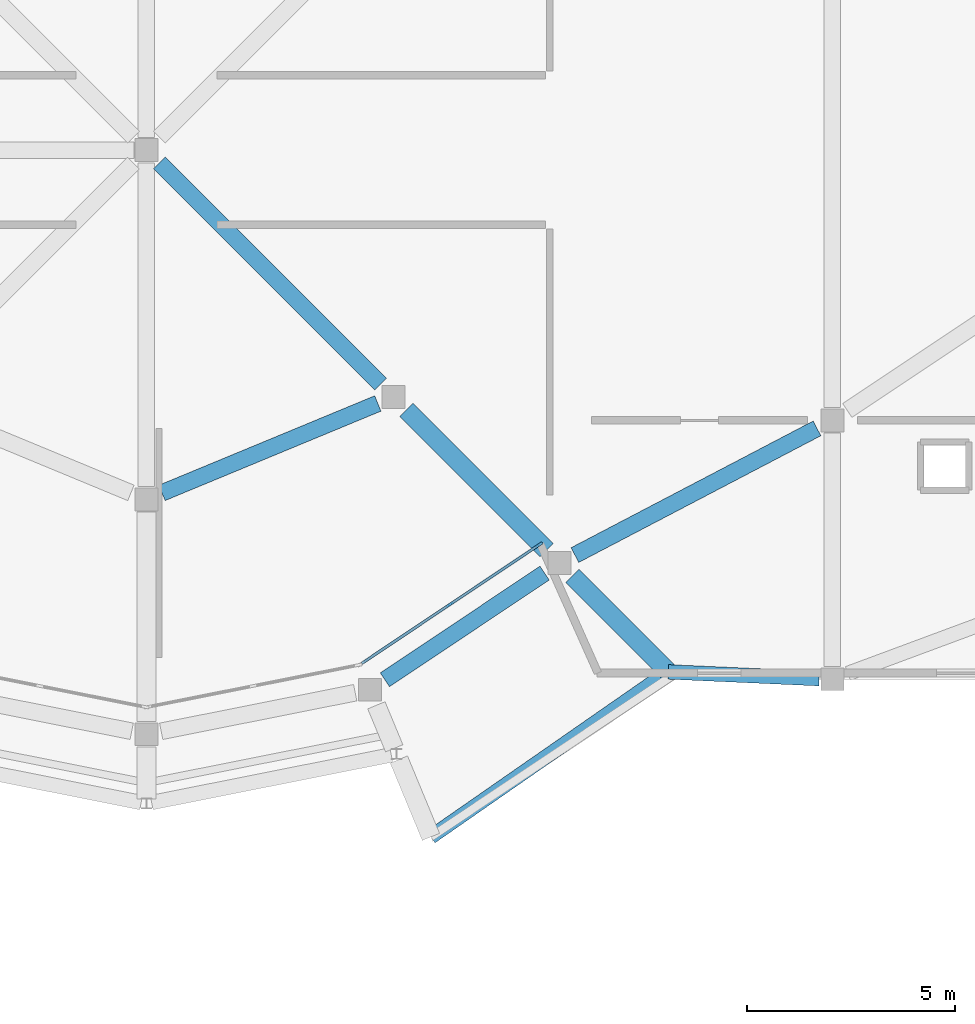
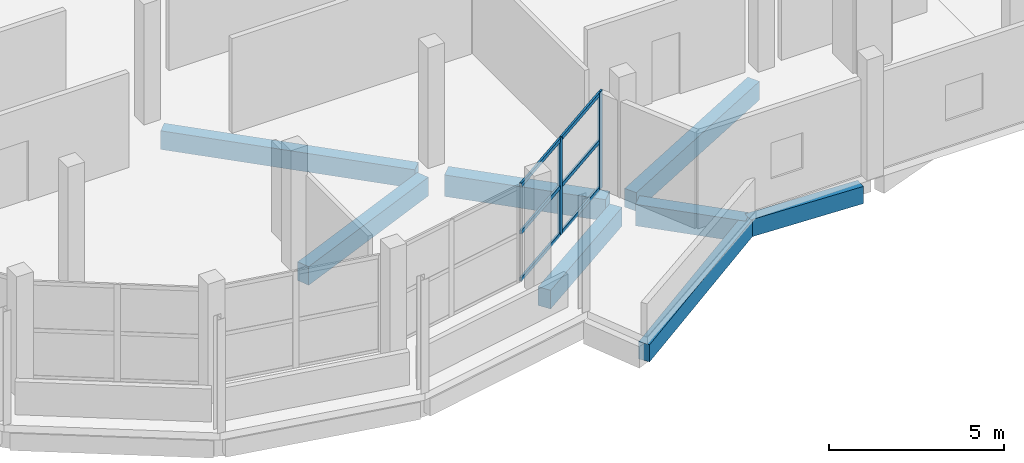
# One storey, part 7 of 63: 8 beams, 8 members, 1 element without a shape of its own.
"""IFC4 building model written with IfcOpenShell, lengths in metres."""

from ifc_helpers import new_model, si_unit, direction, frame, origin, origin_2d, place, context, subcontext, project, spatial, rectangle, extrude, material, layer, layer_set, material_profile, profile_set, type_object, element, aggregate, save


model = new_model("IFC4")

# Units and contexts
model_context = context("Model", 3, precision=1e-05, world=origin(), true_north=direction((0.0, 1.0)))
body_context = subcontext(model_context, "Body", "Model", "MODEL_VIEW")
ifc_project = project(units=[si_unit("LENGTHUNIT", "METRE"), si_unit("AREAUNIT", "SQUARE_METRE"), si_unit("VOLUMEUNIT", "CUBIC_METRE"), si_unit("PLANEANGLEUNIT", "RADIAN"), si_unit("MASSUNIT", "GRAM", prefix="KILO")], contexts=[model_context])

# Site, building, storey
site_placement = place(None, origin())
site = spatial("IfcSite", under=ifc_project, at=site_placement, CompositionType="ELEMENT")
building_placement = place(site_placement, origin())
building = spatial("IfcBuilding", under=site, at=building_placement, Name="Jelvoka-Kovrelna Polytechnic", CompositionType="ELEMENT")
storey_placement = place(building_placement, frame((0.0, 0.0, 18.0)))
storey = spatial("IfcBuildingStorey", under=building, at=storey_placement, Name="L05", CompositionType="ELEMENT", Elevation=18.0)

# Beams
ifc_material_1 = material(Name="Concrete C40/50", Category="concrete")
ifc_material_profile_1 = material_profile(ifc_material_1, rectangle(XDim=0.39990234375, YDim=0.64990234375, at=origin_2d()), Name="RC 400x650")
ifc_profile_set_1 = profile_set([ifc_material_profile_1], Name="Concrete C40/50")
beam_type_1 = type_object("IfcBeamType", Name="Beam_RC_400x650", PredefinedType="BEAM", material=ifc_profile_set_1)
beam_1_placement = place(storey_placement, frame((25.810791015625, 42.189208984375, -0.574951171875), z_axis=(0.707106781187, -0.707106781187, 0.0), x_axis=(0.707106781187, 0.707106781187, 0.0)))
element("IfcBeam", 1, at=beam_1_placement, inside=storey, type_object=beam_type_1, Name="L05 beam 2612", PredefinedType="BEAM", context=body_context, shape_type="SweptSolid", body=[
    extrude(rectangle(XDim=0.39990234375, YDim=0.64990234375, at=origin_2d()), origin(), (0.0, 0.0, 1.0), 7.52099609375),
])
beam_2_placement = place(storey_placement, frame((25.873779296875, 34.2548828125, -0.574951171875), z_axis=(0.923880758636, 0.382680472226, 0.0), x_axis=(-0.382680472226, 0.923880758636, 0.0)))
element("IfcBeam", 2, at=beam_2_placement, inside=storey, type_object=beam_type_1, Name="L05 beam 2619", PredefinedType="BEAM", context=body_context, shape_type="SweptSolid", body=[
    extrude(rectangle(XDim=0.39990234375, YDim=0.64990234375, at=origin_2d()), origin(), (0.0, 0.0, 1.0), 5.619873046875),
])
beam_3_placement = place(storey_placement, frame((31.23486328125, 29.7587890625, -0.574951171875), z_axis=(0.83148081682, 0.555553463908, 0.0), x_axis=(-0.555553463908, 0.83148081682, 0.0)))
element("IfcBeam", 3, at=beam_3_placement, inside=storey, type_object=beam_type_1, Name="L05 beam 2631", PredefinedType="BEAM", context=body_context, shape_type="SweptSolid", body=[
    extrude(rectangle(XDim=0.39990234375, YDim=0.64990234375, at=origin_2d()), origin(), (0.0, 0.0, 1.0), 4.620361328125),
])
beam_4_placement = place(storey_placement, frame((35.805908203125, 32.75927734375, -0.574951171875), z_axis=(0.886059011068, 0.463572463488, 0.0), x_axis=(-0.463572463488, 0.886059011068, 0.0)))
element("IfcBeam", 4, at=beam_4_placement, inside=storey, type_object=beam_type_1, Name="L05 beam 2663", PredefinedType="BEAM", context=body_context, shape_type="SweptSolid", body=[
    extrude(rectangle(XDim=0.39990234375, YDim=0.64990234375, at=origin_2d()), origin(), (0.0, 0.0, 1.0), 6.572021484375),
])
ifc_material_2 = material(Name="Concrete C40/50", Category="concrete")
ifc_material_profile_2 = material_profile(ifc_material_2, rectangle(XDim=0.449951171875, YDim=0.75, at=origin_2d()), Name="RC 450x750")
ifc_profile_set_2 = profile_set([ifc_material_profile_2], Name="Concrete C40/50")
beam_type_2 = type_object("IfcBeamType", Name="Beam_RC_450x750", PredefinedType="BEAM", material=ifc_profile_set_2)
beam_5_placement = place(storey_placement, frame((31.75048828125, 36.24951171875, -0.625), z_axis=(0.707106781187, -0.707106781187, 0.0), x_axis=(0.707106781187, 0.707106781187, 0.0)))
element("IfcBeam", 5, at=beam_5_placement, inside=storey, type_object=beam_type_2, Name="L05 beam 2613", PredefinedType="BEAM", context=body_context, shape_type="SweptSolid", body=[
    extrude(rectangle(XDim=0.449951171875, YDim=0.75, at=origin_2d()), origin(), (0.0, 0.0, 1.0), 4.77099609375),
])
beam_6_placement = place(storey_placement, frame((35.745849609375, 32.254150390625, -0.625), z_axis=(0.707106781187, -0.707106781187, 0.0), x_axis=(0.707106781187, 0.707106781187, 0.0)))
element("IfcBeam", 6, at=beam_6_placement, inside=storey, type_object=beam_type_2, Name="L05 beam 2646", PredefinedType="BEAM", context=body_context, shape_type="SweptSolid", body=[
    extrude(rectangle(XDim=0.449951171875, YDim=0.75, at=origin_2d()), origin(), (0.0, 0.0, 1.0), 3.260009765625),
])

# Curtain wall, members
ifc_material_3 = material(Name="Anodised aluminium 6063-T6", Category="aluminium")
ifc_layer = layer(ifc_material_3, 0.179931640625)
ifc_layer_set = layer_set([ifc_layer], Name="Anodised aluminium 6063-T6")
curtain_wall_type = type_object("IfcCurtainWallType", Name="CW_Pavilion", PredefinedType="NOTDEFINED", material=ifc_layer_set)
curtain_wall_placement = place(storey_placement, origin())
curtain_wall = element("IfcCurtainWall", 7, at=curtain_wall_placement, inside=storey, type_object=curtain_wall_type, Name="L05 glazed curtain wall 265", PredefinedType="NOTDEFINED")
ifc_material_4 = material(Name="Anodised aluminium 6063-T6", Category="aluminium")
ifc_material_profile_3 = material_profile(ifc_material_4, rectangle(XDim=0.06494140625, YDim=0.179931640625, at=origin_2d()), Name="ALU 65x180")
ifc_profile_set_3 = profile_set([ifc_material_profile_3], Name="Anodised aluminium 6063-T6")
member_type_1 = type_object("IfcMemberType", Name="Mullion_M-05", PredefinedType="MULLION", material=ifc_profile_set_3)
member_1_placement = place(storey_placement, frame((34.9482421875, 33.0068359375, -0.02490234375), z_axis=(0.0, 0.0, 1.0), x_axis=(0.555582639326, -0.83146132254, 0.0)))
member_1 = element("IfcMember", 8, at=member_1_placement, type_object=member_type_1, Name="CW-05 mullion 1", PredefinedType="MULLION", context=body_context, shape_type="SweptSolid", body=[
    extrude(rectangle(XDim=0.06494140625, YDim=0.179931640625, at=origin_2d()), origin(), (0.0, 0.0, 1.0), 3.400146484375),
])
member_2_placement = place(storey_placement, frame((32.801513671875, 31.572509765625, -0.02490234375), z_axis=(0.0, 0.0, 1.0), x_axis=(0.555582639326, -0.83146132254, 0.0)))
member_2 = element("IfcMember", 9, at=member_2_placement, type_object=member_type_1, Name="CW-05 mullion 2", PredefinedType="MULLION", context=body_context, shape_type="SweptSolid", body=[
    extrude(rectangle(XDim=0.06494140625, YDim=0.179931640625, at=origin_2d()), origin(), (0.0, 0.0, 1.0), 3.400146484375),
])

# Beams
ifc_material_5 = material(Name="Concrete C40/50", Category="concrete")
ifc_material_profile_4 = material_profile(ifc_material_5, rectangle(XDim=0.35009765625, YDim=0.60009765625, at=origin_2d()), Name="RC 350x600")
ifc_profile_set_4 = profile_set([ifc_material_profile_4], Name="Concrete C40/50")
beam_type_3 = type_object("IfcBeamType", Name="Spandrel_RC_350x600", PredefinedType="SPANDREL", material=ifc_profile_set_4)
beam_7_placement = place(storey_placement, frame((32.34228515625, 25.98095703125, -0.550048828125), z_axis=(0.821126306312, 0.570746519116, 0.0), x_axis=(-0.570746519116, 0.821126306312, 0.0)))
element("IfcBeam", 10, at=beam_7_placement, inside=storey, type_object=beam_type_3, Name="L05 beam 2656", PredefinedType="SPANDREL", context=body_context, shape_type="SweptSolid", body=[
    extrude(rectangle(XDim=0.35009765625, YDim=0.60009765625, at=origin_2d()), origin(), (0.0, 0.0, 1.0), 6.952392578125),
])
beam_8_placement = place(storey_placement, frame((38.051025390625, 29.948974609375, -0.550048828125), z_axis=(0.998998382134, -0.04474631263, 0.0), x_axis=(0.04474631263, 0.998998382134, 0.0)))
element("IfcBeam", 11, at=beam_8_placement, inside=storey, type_object=beam_type_3, Name="L05 beam 2659", PredefinedType="SPANDREL", context=body_context, shape_type="SweptSolid", body=[
    extrude(rectangle(XDim=0.35009765625, YDim=0.60009765625, at=origin_2d()), origin(), (0.0, 0.0, 1.0), 3.6337890625),
])

# Member
ifc_material_6 = material(Name="Anodised aluminium 6063-T6", Category="aluminium")
ifc_material_profile_5 = material_profile(ifc_material_6, rectangle(XDim=0.06494140625, YDim=0.135009765625, at=origin_2d()), Name="ALU 65x135")
ifc_profile_set_5 = profile_set([ifc_material_profile_5], Name="Anodised aluminium 6063-T6")
member_type_2 = type_object("IfcMemberType", Name="Transom_T-05", PredefinedType="USERDEFINED", material=ifc_profile_set_5)
member_3_placement = place(storey_placement, frame((34.921142578125, 32.98876953125, 0.032470703125), z_axis=(-0.831467779718, -0.555572975667, 0.0), x_axis=(0.555572975667, -0.831467779718, 0.0)))
member_3 = element("IfcMember", 12, at=member_3_placement, type_object=member_type_2, Name="CW-05 transom 1.1", ObjectType="TRANSOM", PredefinedType="USERDEFINED", context=body_context, shape_type="SweptSolid", body=[
    extrude(rectangle(XDim=0.06494140625, YDim=0.135009765625, at=origin_2d()), origin(), (0.0, 0.0, 1.0), 2.5166015625),
])

member_4_placement = place(storey_placement, frame((34.921142578125, 32.98876953125, 1.675048828125), z_axis=(-0.831467779718, -0.555572975667, 0.0), x_axis=(0.555572975667, -0.831467779718, 0.0)))
member_4 = element("IfcMember", 13, at=member_4_placement, type_object=member_type_2, Name="CW-05 transom 1.2", ObjectType="TRANSOM", PredefinedType="USERDEFINED", context=body_context, shape_type="SweptSolid", body=[
    extrude(rectangle(XDim=0.06494140625, YDim=0.135009765625, at=origin_2d()), origin(), (0.0, 0.0, 1.0), 2.5166015625),
])

member_5_placement = place(storey_placement, frame((34.921142578125, 32.98876953125, 3.3173828125), z_axis=(-0.831467779718, -0.555572975667, 0.0), x_axis=(0.555572975667, -0.831467779718, 0.0)))
member_5 = element("IfcMember", 14, at=member_5_placement, type_object=member_type_2, Name="CW-05 transom 1.3", ObjectType="TRANSOM", PredefinedType="USERDEFINED", context=body_context, shape_type="SweptSolid", body=[
    extrude(rectangle(XDim=0.06494140625, YDim=0.135009765625, at=origin_2d()), origin(), (0.0, 0.0, 1.0), 2.5166015625),
])

member_6_placement = place(storey_placement, frame((32.774658203125, 31.554443359375, 0.032470703125), z_axis=(-0.831422966795, -0.555640036612, 0.0), x_axis=(0.555640036612, -0.831422966795, 0.0)))
member_6 = element("IfcMember", 15, at=member_6_placement, type_object=member_type_2, Name="CW-05 transom 2.1", ObjectType="TRANSOM", PredefinedType="USERDEFINED", context=body_context, shape_type="SweptSolid", body=[
    extrude(rectangle(XDim=0.06494140625, YDim=0.135009765625, at=origin_2d()), origin(), (0.0, 0.0, 1.0), 2.516845703125),
])

member_7_placement = place(storey_placement, frame((32.774658203125, 31.554443359375, 1.675048828125), z_axis=(-0.831422966795, -0.555640036612, 0.0), x_axis=(0.555640036612, -0.831422966795, 0.0)))
member_7 = element("IfcMember", 16, at=member_7_placement, type_object=member_type_2, Name="CW-05 transom 2.2", ObjectType="TRANSOM", PredefinedType="USERDEFINED", context=body_context, shape_type="SweptSolid", body=[
    extrude(rectangle(XDim=0.06494140625, YDim=0.135009765625, at=origin_2d()), origin(), (0.0, 0.0, 1.0), 2.516845703125),
])

member_8_placement = place(storey_placement, frame((32.774658203125, 31.554443359375, 3.3173828125), z_axis=(-0.831422966795, -0.555640036612, 0.0), x_axis=(0.555640036612, -0.831422966795, 0.0)))
member_8 = element("IfcMember", 17, at=member_8_placement, type_object=member_type_2, Name="CW-05 transom 2.3", ObjectType="TRANSOM", PredefinedType="USERDEFINED", context=body_context, shape_type="SweptSolid", body=[
    extrude(rectangle(XDim=0.06494140625, YDim=0.135009765625, at=origin_2d()), origin(), (0.0, 0.0, 1.0), 2.516845703125),
])

aggregate(curtain_wall, [member_1, member_2, member_3, member_4, member_5, member_6, member_7, member_8])

save(model, "model.ifc")
